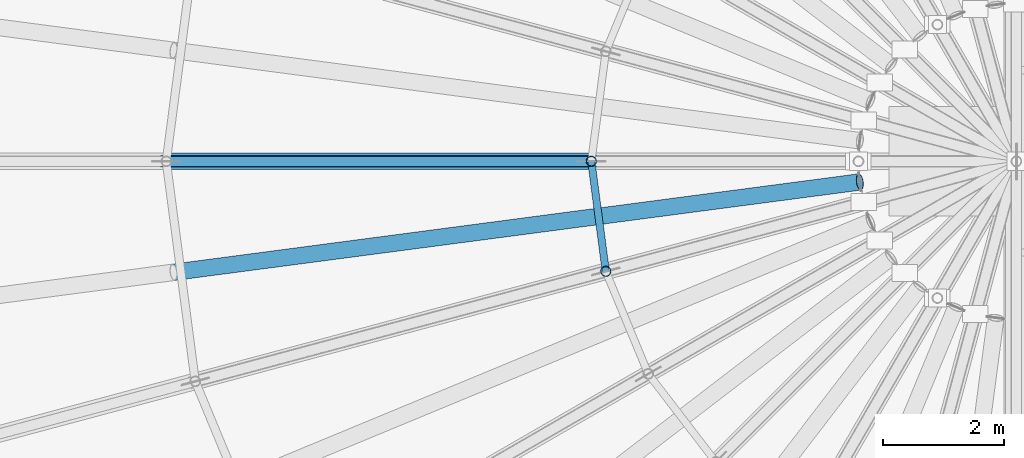
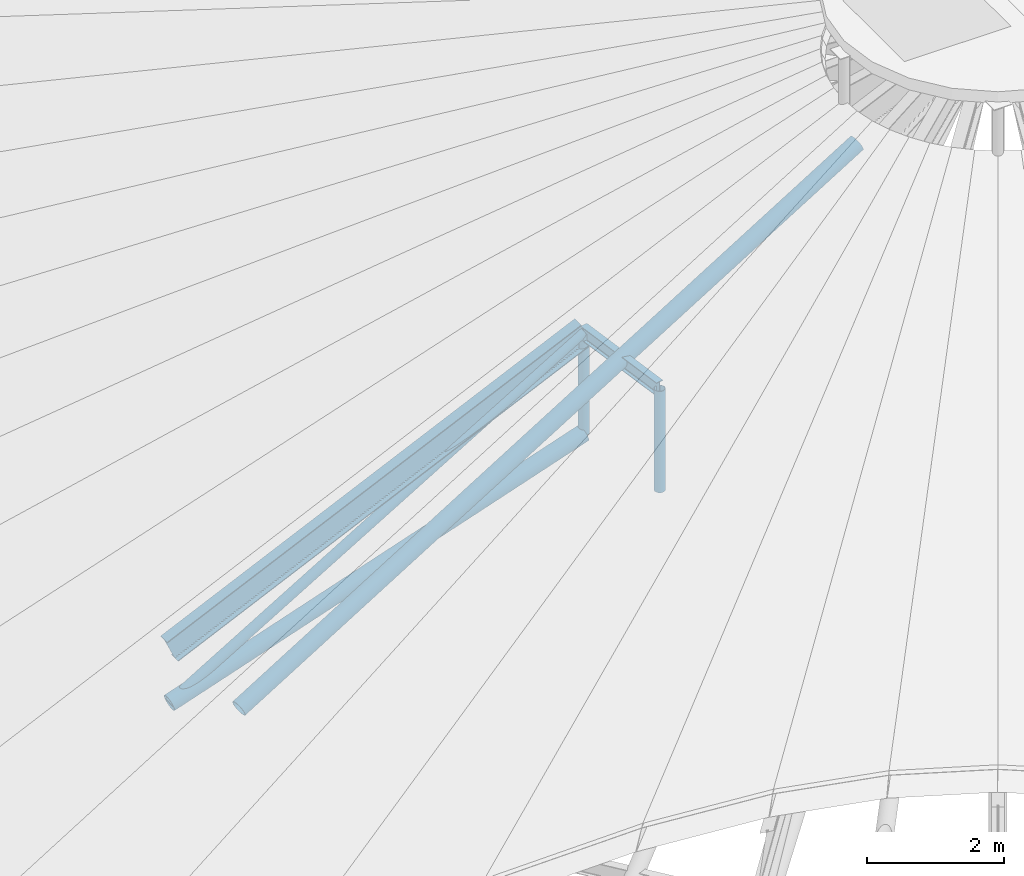
# One storey, part 4 of 107: 7 members.
"""IFC4 building model written with IfcOpenShell, lengths in metres."""

from ifc_helpers import new_model, si_unit, derived_unit, direction, frame, origin, origin_2d, place, context, subcontext, project, spatial, hollow_circle, i_section, extrude, material, material_profile, profile_set, type_object, element, save


model = new_model("IFC4")

# Units and contexts
model_context = context("Model", 3, precision=1e-05, world=origin(), true_north=direction((0.0, 1.0)))
body_context = subcontext(model_context, "Body", "Model", "MODEL_VIEW")
ifc_project = project(units=[si_unit("LENGTHUNIT", "METRE"), si_unit("AREAUNIT", "SQUARE_METRE"), si_unit("VOLUMEUNIT", "CUBIC_METRE"), si_unit("PLANEANGLEUNIT", "RADIAN"), si_unit("MASSUNIT", "GRAM", prefix="KILO"), si_unit("THERMODYNAMICTEMPERATUREUNIT", "KELVIN"), si_unit("TIMEUNIT", "SECOND"), derived_unit("THERMALTRANSMITTANCEUNIT", [(si_unit("MASSUNIT", "GRAM", prefix="KILO"), 1), (si_unit("THERMODYNAMICTEMPERATUREUNIT", "KELVIN"), -1), (si_unit("TIMEUNIT", "SECOND"), -3)])], contexts=[model_context])

# Site, building, storey
site_placement = place(None, origin())
site = spatial("IfcSite", under=ifc_project, at=site_placement, CompositionType="ELEMENT")
building_placement = place(site_placement, origin())
building = spatial("IfcBuilding", under=site, at=building_placement, Name="Cambertide Market Hall", CompositionType="ELEMENT")
storey_placement = place(building_placement, frame((0.0, 0.0, 18.300048828125)))
storey = spatial("IfcBuildingStorey", under=building, at=storey_placement, Name="RF", CompositionType="ELEMENT", Elevation=18.300048828125)

# Members
ifc_material_1 = material(Name="Steel S355", Category="steel")
ifc_material_profile_1 = material_profile(ifc_material_1, hollow_circle(Radius=0.136474609375, WallThickness=0.010009765625, at=origin_2d()), Name="CHS 273x10")
ifc_profile_set_1 = profile_set([ifc_material_profile_1], Name="Steel S355")
member_type_1 = type_object("IfcMemberType", Name="Arched Truss Chord CHS 273x10", PredefinedType="CHORD", material=ifc_profile_set_1)
member_1_placement = place(storey_placement, frame((35.0, 72.0, -5.381591796875), z_axis=(-0.946998797137, 0.0, -0.321237105921), x_axis=(0.0, -1.0, 0.0)))
element("IfcMember", 1, at=member_1_placement, inside=storey, type_object=member_type_1, Name="Half-Cone Radial Arch Chord W-12-2", PredefinedType="CHORD", context=body_context, shape_type="SweptSolid", body=[
    extrude(hollow_circle(Radius=0.136474609375, WallThickness=0.010009765625, at=origin_2d()), origin(), (0.0, 0.0, 1.0), 7.391845703125),
])
ifc_material_2 = material(Name="Steel S355", Category="steel")
ifc_material_profile_2 = material_profile(ifc_material_2, hollow_circle(Radius=0.136474609375, WallThickness=0.010009765625, at=origin_2d()), Name="CHS 273x10")
ifc_profile_set_2 = profile_set([ifc_material_profile_2], Name="Steel S355")
member_type_2 = type_object("IfcMemberType", Name="Radial Fan Rafter CHS 273x10", PredefinedType="RAFTER", material=ifc_profile_set_2)
member_2_placement = place(storey_placement, frame((39.42236328125, 71.66064453125, -1.546142578125), z_axis=(-0.900721251164, -0.11858507454, -0.417898083027), x_axis=(0.130529299847, -0.991444452242, 0.0)))
element("IfcMember", 2, at=member_2_placement, inside=storey, type_object=member_type_2, Name="RAF-W-13-A", PredefinedType="RAFTER", context=body_context, shape_type="SweptSolid", body=[
    extrude(hollow_circle(Radius=0.136474609375, WallThickness=0.010009765625, at=origin_2d()), origin(), (0.0, 0.0, 1.0), 12.54833984375),
])
ifc_material_3 = material(Name="Steel S355", Category="steel")
ifc_material_profile_3 = material_profile(ifc_material_3, i_section(OverallWidth=0.18994140625, OverallDepth=0.449951171875, WebThickness=0.009521484375, FlangeThickness=0.0146484375, FilletRadius=0.02099609375, at=origin_2d()), Name="IPE 450")
ifc_profile_set_3 = profile_set([ifc_material_profile_3], Name="Steel S355")
member_type_3 = type_object("IfcMemberType", Name="Radial Fan Rafter IPE 450", PredefinedType="RAFTER", material=ifc_profile_set_3)
member_3_placement = place(storey_placement, frame((35.0, 72.0, -3.570068359375), z_axis=(-0.90849189626, 0.0, -0.417902469998), x_axis=(0.0, -1.0, 0.0)))
element("IfcMember", 3, at=member_3_placement, inside=storey, type_object=member_type_3, Name="Half-Cone Radial Truss Rafter W-12-2", PredefinedType="RAFTER", context=body_context, shape_type="SweptSolid", body=[
    extrude(i_section(OverallWidth=0.18994140625, OverallDepth=0.449951171875, WebThickness=0.009521484375, FlangeThickness=0.0146484375, FilletRadius=0.02099609375, at=origin_2d()), origin(), (0.0, 0.0, 1.0), 7.705078125),
])
ifc_material_4 = material(Name="Steel S275", Category="steel")
ifc_material_profile_4 = material_profile(ifc_material_4, i_section(OverallWidth=0.1201171875, OverallDepth=0.239990234375, WebThickness=0.006103515625, FlangeThickness=0.009765625, FilletRadius=0.014892578125, at=origin_2d()), Name="IPE 240")
ifc_profile_set_4 = profile_set([ifc_material_profile_4], Name="Steel S275")
member_type_4 = type_object("IfcMemberType", Name="Roof Purlin IPE 240", PredefinedType="PURLIN", material=ifc_profile_set_4)
member_4_placement = place(storey_placement, frame((35.0, 72.0, -3.570068359375), z_axis=(0.130527087244, -0.991444743541, 0.0), x_axis=(0.991444743541, 0.130527087244, 0.0)))
element("IfcMember", 4, at=member_4_placement, inside=storey, type_object=member_type_4, Name="CPUR-W-70-07", PredefinedType="PURLIN", context=body_context, shape_type="SweptSolid", body=[
    extrude(i_section(OverallWidth=0.1201171875, OverallDepth=0.239990234375, WebThickness=0.006103515625, FlangeThickness=0.009765625, FilletRadius=0.014892578125, at=origin_2d()), origin(), (0.0, 0.0, 1.0), 1.827392578125),
])
ifc_material_5 = material(Name="Steel S355", Category="steel")
ifc_material_profile_5 = material_profile(ifc_material_5, hollow_circle(Radius=0.084228515625, WallThickness=0.00634765625, at=origin_2d()), Name="CHS 168.3x6.3")
ifc_profile_set_5 = profile_set([ifc_material_profile_5], Name="Steel S355")
member_type_5 = type_object("IfcMemberType", Name="Structural Brace CHS 168.3x6.3", PredefinedType="BRACE", material=ifc_profile_set_5)
member_5_placement = place(storey_placement, frame((28.0, 72.0, -7.756103515625), z_axis=(0.858247376972, 0.0, 0.513236241823), x_axis=(0.0, 1.0, 0.0)))
element("IfcMember", 5, at=member_5_placement, inside=storey, type_object=member_type_5, Name="RWB-W-12-D2", PredefinedType="BRACE", context=body_context, shape_type="SweptSolid", body=[
    extrude(hollow_circle(Radius=0.084228515625, WallThickness=0.00634765625, at=origin_2d()), origin(), (0.0, 0.0, 1.0), 8.15625),
])
for number, where, z_axis, x_axis, name in (
    (6, (35.0, 72.0, -5.381591796875), (0.0, 0.0, 1.0), (1.0, 0.0, 0.0), "RWV-W-12-V1"),
    (7, (35.238525390625, 70.188232421875, -5.381591796875), (0.0, 0.0, 1.0), (1.0, 0.0, 0.0), "RWV-W-14-V1"),
):
    element("IfcMember", number, at=place(storey_placement, frame(where, z_axis=z_axis, x_axis=x_axis)), inside=storey, type_object=member_type_5, Name=name, PredefinedType="BRACE", context=body_context, shape_type="SweptSolid", body=[
        extrude(hollow_circle(Radius=0.084228515625, WallThickness=0.00634765625, at=origin_2d()), origin(), (0.0, 0.0, 1.0), 1.8115234375),
    ])

save(model, "model.ifc")
